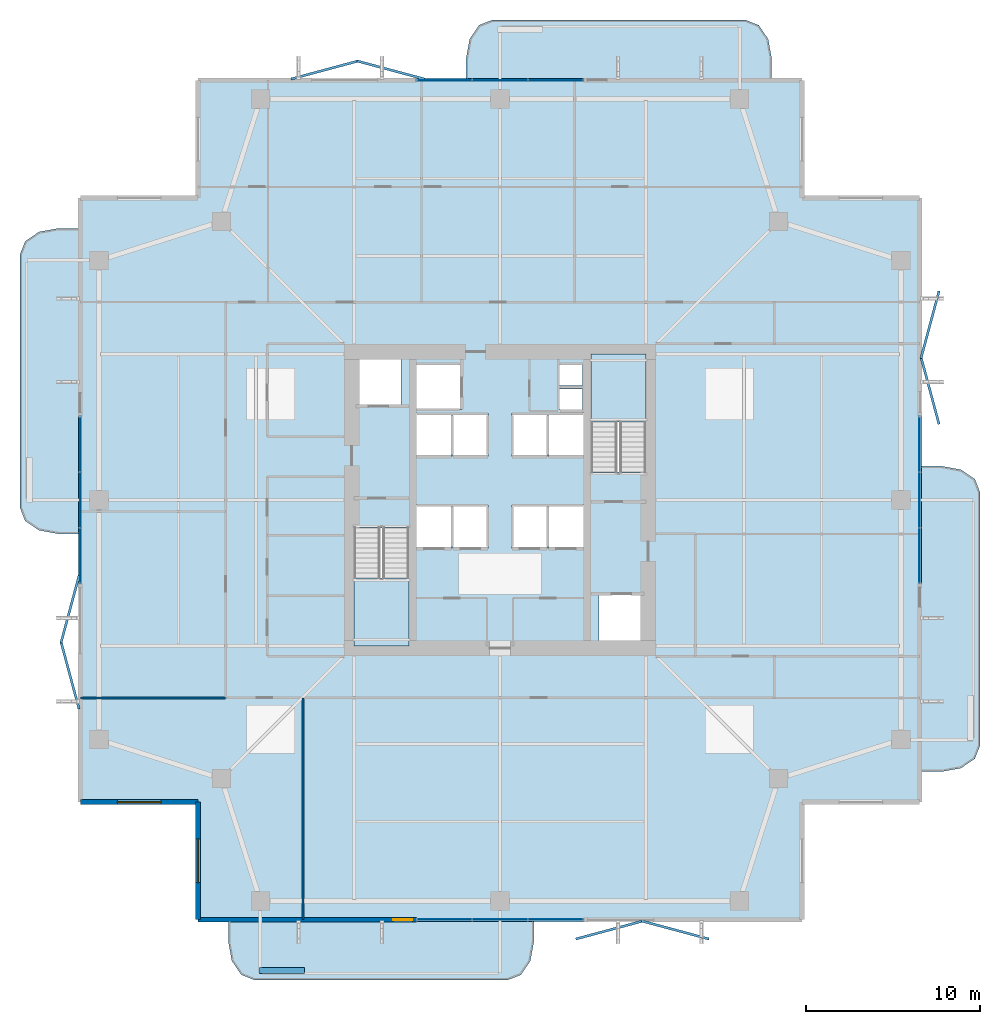
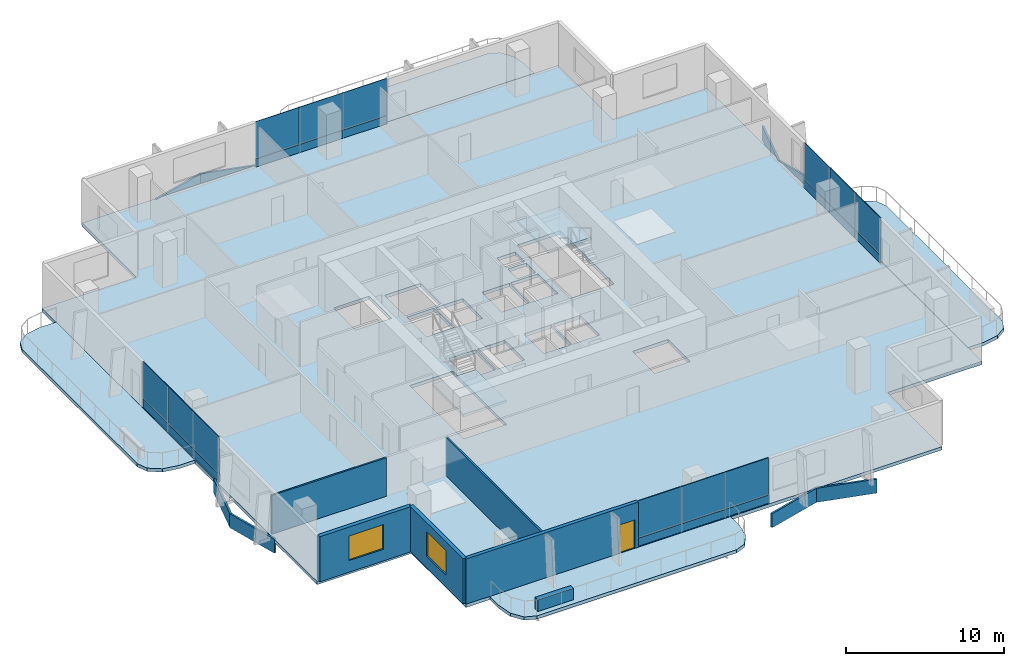
# One storey, part 18 of 25: 32 plates, 7 slabs, 6 walls, 2 windows, 1 door, 3 openings, 6 elements without a shape of their own.
"""IFC4 building model written with IfcOpenShell, lengths in metres."""

from ifc_helpers import new_model, si_unit, direction, frame, frame_2d, origin, origin_2d, place, context, subcontext, project, spatial, polyline, rectangle, outline, extrude, material, layer, layer_set, type_object, element, fill, aggregate, save


model = new_model("IFC4")

# Units and contexts
model_context = context("Model", 3, precision=1e-05, world=origin(), true_north=direction((0.0, 1.0)))
body_context = subcontext(model_context, "Body", "Model", "MODEL_VIEW")
ifc_project = project(units=[si_unit("LENGTHUNIT", "METRE"), si_unit("AREAUNIT", "SQUARE_METRE"), si_unit("VOLUMEUNIT", "CUBIC_METRE"), si_unit("PLANEANGLEUNIT", "RADIAN"), si_unit("MASSUNIT", "GRAM", prefix="KILO")], contexts=[model_context])

# Site, building, storey
site_placement = place(None, origin())
site = spatial("IfcSite", under=ifc_project, at=site_placement, CompositionType="ELEMENT")
building_placement = place(site_placement, origin())
building = spatial("IfcBuilding", under=site, at=building_placement, Name="Belovzor Exchange Tower", CompositionType="ELEMENT")
storey_placement = place(building_placement, frame((0.0, 0.0, 183.300048828125)))
storey = spatial("IfcBuildingStorey", under=building, at=storey_placement, Name="L45", CompositionType="ELEMENT", Elevation=183.300048828125)

# Slab
ifc_material_1 = material(Name="Concrete C40/50", Category="concrete")
ifc_layer_1 = layer(ifc_material_1, 0.2548828125)
ifc_layer_set_1 = layer_set([ifc_layer_1], Name="Concrete C40/50")
slab_type_1 = type_object("IfcSlabType", Name="Composite Waist Floor Deck Slab 255", PredefinedType="FLOOR", material=ifc_layer_set_1)
slab_1_placement = place(storey_placement, frame((0.0, 0.0, -0.255126953125)))
element("IfcSlab", 1, at=slab_1_placement, inside=storey, type_object=slab_type_1, Name="SL-F255 Structural Slab L45", PredefinedType="FLOOR", context=body_context, shape_type="SweptSolid", body=[
    extrude(outline(polyline([(11.39990234375, 4.5), (46.199951171875, 4.5), (46.199951171875, 11.39990234375), (53.10009765625, 11.39990234375), (53.10009765625, 46.199951171875), (46.199951171875, 46.199951171875), (46.199951171875, 53.10009765625), (11.39990234375, 53.10009765625), (11.39990234375, 46.199951171875), (4.5, 46.199951171875), (4.5, 11.39990234375), (11.39990234375, 11.39990234375), (11.39990234375, 4.5)]), holes=[polyline([(20.39990234375, 27.175048828125), (20.39990234375, 20.39990234375), (23.550048828125, 20.39990234375), (23.550048828125, 27.175048828125), (20.39990234375, 27.175048828125)]), polyline([(37.199951171875, 30.425048828125), (37.199951171875, 37.199951171875), (34.050048828125, 37.199951171875), (34.050048828125, 30.425048828125), (37.199951171875, 30.425048828125)]), polyline([(20.5, 34.199951171875), (23.10009765625, 34.199951171875), (23.10009765625, 37.0), (20.5, 37.0), (20.5, 34.199951171875)]), polyline([(34.5, 20.60009765625), (37.10009765625, 20.60009765625), (37.10009765625, 23.39990234375), (34.5, 23.39990234375), (34.5, 20.60009765625)]), polyline([(24.0, 34.0), (26.60009765625, 34.0), (26.60009765625, 36.60009765625), (24.0, 36.60009765625), (24.0, 34.0)]), polyline([(24.0, 26.0), (26.0, 26.0), (26.0, 28.5), (24.0, 28.5), (24.0, 26.0)]), polyline([(26.10009765625, 26.0), (28.10009765625, 26.0), (28.10009765625, 28.5), (26.10009765625, 28.5), (26.10009765625, 26.0)]), polyline([(29.5, 26.0), (31.5, 26.0), (31.5, 28.5), (29.5, 28.5), (29.5, 26.0)]), polyline([(31.60009765625, 26.0), (33.60009765625, 26.0), (33.60009765625, 28.5), (31.60009765625, 28.5), (31.60009765625, 26.0)]), polyline([(24.0, 31.300048828125), (26.0, 31.300048828125), (26.0, 33.800048828125), (24.0, 33.800048828125), (24.0, 31.300048828125)]), polyline([(26.10009765625, 31.300048828125), (28.10009765625, 31.300048828125), (28.10009765625, 33.800048828125), (26.10009765625, 33.800048828125), (26.10009765625, 31.300048828125)]), polyline([(29.5, 31.300048828125), (31.5, 31.300048828125), (31.5, 33.800048828125), (29.5, 33.800048828125), (29.5, 31.300048828125)]), polyline([(31.60009765625, 31.300048828125), (33.60009765625, 31.300048828125), (33.60009765625, 33.800048828125), (31.60009765625, 33.800048828125), (31.60009765625, 31.300048828125)]), polyline([(32.199951171875, 34.0), (33.550048828125, 34.0), (33.550048828125, 35.199951171875), (32.199951171875, 35.199951171875), (32.199951171875, 34.0)]), polyline([(32.199951171875, 35.39990234375), (33.550048828125, 35.39990234375), (33.550048828125, 36.60009765625), (32.199951171875, 36.60009765625), (32.199951171875, 35.39990234375)])]), origin(), (0.0, 0.0, 1.0), 0.255126953125),
])

# Curtain wall, plates
ifc_material_2 = material(Name="Anodised Aluminium Framing", Category="aluminium")
ifc_layer_2 = layer(ifc_material_2, 0.179931640625)
ifc_layer_set_2 = layer_set([ifc_layer_2], Name="Anodised Aluminium Framing")
curtain_wall_type = type_object("IfcCurtainWallType", Name="Recessed Loggia Low-Iron Triple-Glazed Curtain Wall", PredefinedType="NOTDEFINED", material=ifc_layer_set_2)
curtain_wall_1_placement = place(storey_placement, origin())
curtain_wall_1 = element("IfcCurtainWall", 2, at=curtain_wall_1_placement, inside=storey, type_object=curtain_wall_type, Name="CW3 Recessed Loggia Low-Iron Triple-Glazed Curtain Wall L45", PredefinedType="NOTDEFINED")
ifc_material_3 = material(Name="Solar-Control Triple Glazing", Category="glass")
ifc_layer_3 = layer(ifc_material_3, 0.0439453125)
ifc_layer_set_3 = layer_set([ifc_layer_3], Name="Solar-Control Triple Glazing")
plate_type_1 = type_object("IfcPlateType", Name="Insulated Solar Glazing Curtain Panel 44", PredefinedType="CURTAIN_PANEL", material=ifc_layer_set_3)
plate_1_placement = place(storey_placement, frame((32.0, 4.6298828125, 0.630859375), z_axis=(0.0, 0.0, 1.0), x_axis=(-1.0, 0.0, 0.0)))
plate_1 = element("IfcPlate", 3, at=plate_1_placement, type_object=plate_type_1, Name="GLZ-44 Glazed Curtain Panel 1", PredefinedType="CURTAIN_PANEL", context=body_context, shape_type="SweptSolid", body=[
    extrude(rectangle(XDim=3.18408203125, YDim=0.0439453125, at=origin_2d()), origin(), (0.0, 0.0, 1.0), 2.864013671875),
])
plate_2_placement = place(storey_placement, frame((28.800048828125, 4.6298828125, 0.630859375), z_axis=(0.0, 0.0, 1.0), x_axis=(-1.0, 0.0, 0.0)))
plate_2 = element("IfcPlate", 4, at=plate_2_placement, type_object=plate_type_1, Name="GLZ-44 Glazed Curtain Panel 2", PredefinedType="CURTAIN_PANEL", context=body_context, shape_type="SweptSolid", body=[
    extrude(rectangle(XDim=3.18408203125, YDim=0.0439453125, at=origin_2d()), origin(), (0.0, 0.0, 1.0), 2.864013671875),
])
plate_3_placement = place(storey_placement, frame((25.60009765625, 4.6298828125, 0.630859375), z_axis=(0.0, 0.0, 1.0), x_axis=(-1.0, 0.0, 0.0)))
plate_3 = element("IfcPlate", 5, at=plate_3_placement, type_object=plate_type_1, Name="GLZ-44 Glazed Curtain Panel 3", PredefinedType="CURTAIN_PANEL", context=body_context, shape_type="SweptSolid", body=[
    extrude(rectangle(XDim=3.18408203125, YDim=0.0439453125, at=origin_2d()), origin(), (0.0, 0.0, 1.0), 2.864013671875),
])

curtain_wall_2_placement = place(storey_placement, origin())
curtain_wall_2 = element("IfcCurtainWall", 6, at=curtain_wall_2_placement, inside=storey, type_object=curtain_wall_type, Name="CW3 Recessed Loggia Low-Iron Triple-Glazed Curtain Wall L45", PredefinedType="NOTDEFINED")
plate_4_placement = place(storey_placement, frame((25.60009765625, 52.969970703125, 0.630859375), z_axis=(0.0, 0.0, 1.0), x_axis=(1.0, 0.0, 0.0)))
plate_4 = element("IfcPlate", 7, at=plate_4_placement, type_object=plate_type_1, Name="GLZ-44 Glazed Curtain Panel 1", PredefinedType="CURTAIN_PANEL", context=body_context, shape_type="SweptSolid", body=[
    extrude(rectangle(XDim=3.18408203125, YDim=0.0439453125, at=origin_2d()), origin(), (0.0, 0.0, 1.0), 2.864013671875),
])
plate_5_placement = place(storey_placement, frame((28.800048828125, 52.969970703125, 0.630859375), z_axis=(0.0, 0.0, 1.0), x_axis=(1.0, 0.0, 0.0)))
plate_5 = element("IfcPlate", 8, at=plate_5_placement, type_object=plate_type_1, Name="GLZ-44 Glazed Curtain Panel 2", PredefinedType="CURTAIN_PANEL", context=body_context, shape_type="SweptSolid", body=[
    extrude(rectangle(XDim=3.18408203125, YDim=0.0439453125, at=origin_2d()), origin(), (0.0, 0.0, 1.0), 2.864013671875),
])
plate_6_placement = place(storey_placement, frame((32.0, 52.969970703125, 0.630859375), z_axis=(0.0, 0.0, 1.0), x_axis=(1.0, 0.0, 0.0)))
plate_6 = element("IfcPlate", 9, at=plate_6_placement, type_object=plate_type_1, Name="GLZ-44 Glazed Curtain Panel 3", PredefinedType="CURTAIN_PANEL", context=body_context, shape_type="SweptSolid", body=[
    extrude(rectangle(XDim=3.18408203125, YDim=0.0439453125, at=origin_2d()), origin(), (0.0, 0.0, 1.0), 2.864013671875),
])

curtain_wall_3_placement = place(storey_placement, origin())
curtain_wall_3 = element("IfcCurtainWall", 10, at=curtain_wall_3_placement, inside=storey, type_object=curtain_wall_type, Name="CW3 Recessed Loggia Low-Iron Triple-Glazed Curtain Wall L45", PredefinedType="NOTDEFINED")
plate_7_placement = place(storey_placement, frame((4.6298828125, 25.60009765625, 0.630859375), z_axis=(0.0, 0.0, 1.0), x_axis=(0.0, 1.0, 0.0)))
plate_7 = element("IfcPlate", 11, at=plate_7_placement, type_object=plate_type_1, Name="GLZ-44 Glazed Curtain Panel 1", PredefinedType="CURTAIN_PANEL", context=body_context, shape_type="SweptSolid", body=[
    extrude(rectangle(XDim=3.18408203125, YDim=0.0439453125, at=origin_2d()), origin(), (0.0, 0.0, 1.0), 2.864013671875),
])
plate_8_placement = place(storey_placement, frame((4.6298828125, 28.800048828125, 0.630859375), z_axis=(0.0, 0.0, 1.0), x_axis=(0.0, 1.0, 0.0)))
plate_8 = element("IfcPlate", 12, at=plate_8_placement, type_object=plate_type_1, Name="GLZ-44 Glazed Curtain Panel 2", PredefinedType="CURTAIN_PANEL", context=body_context, shape_type="SweptSolid", body=[
    extrude(rectangle(XDim=3.18408203125, YDim=0.0439453125, at=origin_2d()), origin(), (0.0, 0.0, 1.0), 2.864013671875),
])
plate_9_placement = place(storey_placement, frame((4.6298828125, 32.0, 0.630859375), z_axis=(0.0, 0.0, 1.0), x_axis=(0.0, 1.0, 0.0)))
plate_9 = element("IfcPlate", 13, at=plate_9_placement, type_object=plate_type_1, Name="GLZ-44 Glazed Curtain Panel 3", PredefinedType="CURTAIN_PANEL", context=body_context, shape_type="SweptSolid", body=[
    extrude(rectangle(XDim=3.18408203125, YDim=0.0439453125, at=origin_2d()), origin(), (0.0, 0.0, 1.0), 2.864013671875),
])

curtain_wall_4_placement = place(storey_placement, origin())
curtain_wall_4 = element("IfcCurtainWall", 14, at=curtain_wall_4_placement, inside=storey, type_object=curtain_wall_type, Name="CW3 Recessed Loggia Low-Iron Triple-Glazed Curtain Wall L45", PredefinedType="NOTDEFINED")
plate_10_placement = place(storey_placement, frame((52.969970703125, 32.0, 0.630859375), z_axis=(0.0, 0.0, 1.0), x_axis=(0.0, -1.0, 0.0)))
plate_10 = element("IfcPlate", 15, at=plate_10_placement, type_object=plate_type_1, Name="GLZ-44 Glazed Curtain Panel 1", PredefinedType="CURTAIN_PANEL", context=body_context, shape_type="SweptSolid", body=[
    extrude(rectangle(XDim=3.18408203125, YDim=0.0439453125, at=origin_2d()), origin(), (0.0, 0.0, 1.0), 2.864013671875),
])
plate_11_placement = place(storey_placement, frame((52.969970703125, 28.800048828125, 0.630859375), z_axis=(0.0, 0.0, 1.0), x_axis=(0.0, -1.0, 0.0)))
plate_11 = element("IfcPlate", 16, at=plate_11_placement, type_object=plate_type_1, Name="GLZ-44 Glazed Curtain Panel 2", PredefinedType="CURTAIN_PANEL", context=body_context, shape_type="SweptSolid", body=[
    extrude(rectangle(XDim=3.18408203125, YDim=0.0439453125, at=origin_2d()), origin(), (0.0, 0.0, 1.0), 2.864013671875),
])
plate_12_placement = place(storey_placement, frame((52.969970703125, 25.60009765625, 0.630859375), z_axis=(0.0, 0.0, 1.0), x_axis=(0.0, -1.0, 0.0)))
plate_12 = element("IfcPlate", 17, at=plate_12_placement, type_object=plate_type_1, Name="GLZ-44 Glazed Curtain Panel 3", PredefinedType="CURTAIN_PANEL", context=body_context, shape_type="SweptSolid", body=[
    extrude(rectangle(XDim=3.18408203125, YDim=0.0439453125, at=origin_2d()), origin(), (0.0, 0.0, 1.0), 2.864013671875),
])

# Plates
ifc_material_4 = material(Name="Extruded Architectural Terracotta", Category="masonry")
ifc_layer_4 = layer(ifc_material_4, 0.139892578125)
ifc_layer_set_4 = layer_set([ifc_layer_4], Name="Extruded Architectural Terracotta")
plate_type_2 = type_object("IfcPlateType", Name="Mid-Tower Folded Zigzag Terracotta Spandrel Louvre 120", PredefinedType="USERDEFINED", material=ifc_layer_set_4)
for number, where, z_axis, x_axis, name in (
    (18, (18.699951171875, 53.570068359375, -1.065185546875), (0.0, 0.0, 1.0), (0.965812803231, 0.259240485101, 0.0), "LVR-ZZ2 Zigzag Terracotta Spandrel Louvre L45 N1A"),
    (19, (22.5, 53.570068359375, -1.065185546875), (0.0, 0.0, 1.0), (0.965812803231, -0.259240485101, 0.0), "LVR-ZZ2 Zigzag Terracotta Spandrel Louvre L45 N1B"),
    (20, (4.030029296875, 18.699951171875, -1.065185546875), (0.0, 0.0, 1.0), (-0.259240485101, 0.965812803231, 0.0), "LVR-ZZ2 Zigzag Terracotta Spandrel Louvre L45 W1A"),
    (21, (4.030029296875, 22.5, -1.065185546875), (0.0, 0.0, 1.0), (0.259240485101, 0.965812803231, 0.0), "LVR-ZZ2 Zigzag Terracotta Spandrel Louvre L45 W1B"),
    (22, (35.10009765625, 4.030029296875, -1.065185546875), (0.0, 0.0, 1.0), (0.965812803231, 0.259240485101, 0.0), "LVR-ZZ2 Zigzag Terracotta Spandrel Louvre L45 S2A"),
    (23, (38.89990234375, 4.030029296875, -1.065185546875), (0.0, 0.0, 1.0), (0.965812803231, -0.259240485101, 0.0), "LVR-ZZ2 Zigzag Terracotta Spandrel Louvre L45 S2B"),
    (24, (53.570068359375, 35.10009765625, -1.065185546875), (0.0, 0.0, 1.0), (-0.259240485101, 0.965812803231, 0.0), "LVR-ZZ2 Zigzag Terracotta Spandrel Louvre L45 E2A"),
    (25, (53.570068359375, 38.89990234375, -1.065185546875), (0.0, 0.0, 1.0), (0.259240485101, 0.965812803231, 0.0), "LVR-ZZ2 Zigzag Terracotta Spandrel Louvre L45 E2B"),
):
    element("IfcPlate", number, at=place(storey_placement, frame(where, z_axis=z_axis, x_axis=x_axis)), inside=storey, type_object=plate_type_2, Name=name, ObjectType="SPANDREL_LOUVRE", PredefinedType="USERDEFINED", context=body_context, shape_type="SweptSolid", body=[
        extrude(rectangle(XDim=4.014892578125, YDim=0.139892578125, at=origin_2d()), origin(), (0.0, 0.0, 1.0), 1.080078125),
    ])

# Stair, slab
ifc_material_5 = material(Name="Concrete C40/50", Category="concrete")
stair_type = type_object("IfcStairType", Name="Reinforced Concrete Dogleg Escape Stair 1350", PredefinedType="HALF_TURN_STAIR", material=ifc_material_5)
stair_1_placement = place(storey_placement, origin())
stair_1 = element("IfcStair", 26, at=stair_1_placement, inside=storey, type_object=stair_type, Name="L45 ST-1", PredefinedType="HALF_TURN_STAIR")
ifc_material_6 = material(Name="Concrete C40/50", Category="concrete")
ifc_layer_5 = layer(ifc_material_6, 0.199951171875)
ifc_layer_set_5 = layer_set([ifc_layer_5], Name="Concrete C40/50")
slab_type_2 = type_object("IfcSlabType", Name="Reinforced Concrete Stair Half-Landing Slab 200", PredefinedType="LANDING", material=ifc_layer_set_5)
slab_2_placement = place(storey_placement, frame((0.0, 0.0, 1.675048828125)))
slab_2 = element("IfcSlab", 27, at=slab_2_placement, type_object=slab_type_2, Name="ST-1 landing 1", PredefinedType="LANDING", context=body_context, shape_type="SweptSolid", body=[
    extrude(outline(polyline([(20.39990234375, 24.300048828125), (20.39990234375, 20.39990234375), (23.550048828125, 20.39990234375), (23.550048828125, 24.300048828125), (20.39990234375, 24.300048828125)])), origin(), (0.0, 0.0, 1.0), 0.199951171875),
])
aggregate(stair_1, [slab_2])

stair_2_placement = place(storey_placement, origin())
stair_2 = element("IfcStair", 28, at=stair_2_placement, inside=storey, type_object=stair_type, Name="L45 ST-2", PredefinedType="HALF_TURN_STAIR")
slab_3_placement = place(storey_placement, frame((0.0, 0.0, 1.675048828125)))
slab_3 = element("IfcSlab", 29, at=slab_3_placement, type_object=slab_type_2, Name="ST-2 landing 1", PredefinedType="LANDING", context=body_context, shape_type="SweptSolid", body=[
    extrude(outline(polyline([(37.199951171875, 33.300048828125), (37.199951171875, 37.199951171875), (34.050048828125, 37.199951171875), (34.050048828125, 33.300048828125), (37.199951171875, 33.300048828125)])), origin(), (0.0, 0.0, 1.0), 0.199951171875),
])
aggregate(stair_2, [slab_3])

# Plate
ifc_material_7 = material(Name="Extruded Architectural Terracotta", Category="masonry")
ifc_layer_6 = layer(ifc_material_7, 0.090087890625)
ifc_layer_set_6 = layer_set([ifc_layer_6], Name="Extruded Architectural Terracotta")
plate_type_3 = type_object("IfcPlateType", Name="Terracotta Shadow-Box Spandrel Panel 90", PredefinedType="CURTAIN_PANEL", material=ifc_layer_set_6)
plate_13_placement = place(storey_placement, frame((32.0, 4.6298828125, 0.00048828125), z_axis=(0.0, 0.0, 1.0), x_axis=(-1.0, 0.0, 0.0)))
plate_13 = element("IfcPlate", 30, at=plate_13_placement, type_object=plate_type_3, Name="SPD-90 Spandrel Panel 1", PredefinedType="CURTAIN_PANEL", context=body_context, shape_type="SweptSolid", body=[
    extrude(rectangle(XDim=3.18408203125, YDim=0.090087890625, at=origin_2d()), origin(), (0.0, 0.0, 1.0), 0.626953125),
])

plate_14_placement = place(storey_placement, frame((28.800048828125, 4.6298828125, 0.00048828125), z_axis=(0.0, 0.0, 1.0), x_axis=(-1.0, 0.0, 0.0)))
plate_14 = element("IfcPlate", 31, at=plate_14_placement, type_object=plate_type_3, Name="SPD-90 Spandrel Panel 2", PredefinedType="CURTAIN_PANEL", context=body_context, shape_type="SweptSolid", body=[
    extrude(rectangle(XDim=3.18408203125, YDim=0.090087890625, at=origin_2d()), origin(), (0.0, 0.0, 1.0), 0.626953125),
])

plate_15_placement = place(storey_placement, frame((25.60009765625, 4.6298828125, 0.00048828125), z_axis=(0.0, 0.0, 1.0), x_axis=(-1.0, 0.0, 0.0)))
plate_15 = element("IfcPlate", 32, at=plate_15_placement, type_object=plate_type_3, Name="SPD-90 Spandrel Panel 3", PredefinedType="CURTAIN_PANEL", context=body_context, shape_type="SweptSolid", body=[
    extrude(rectangle(XDim=3.18408203125, YDim=0.090087890625, at=origin_2d()), origin(), (0.0, 0.0, 1.0), 0.626953125),
])

aggregate(curtain_wall_1, [plate_13, plate_1, plate_14, plate_2, plate_15, plate_3])

plate_16_placement = place(storey_placement, frame((25.60009765625, 52.969970703125, 0.00048828125), z_axis=(0.0, 0.0, 1.0), x_axis=(1.0, 0.0, 0.0)))
plate_16 = element("IfcPlate", 33, at=plate_16_placement, type_object=plate_type_3, Name="SPD-90 Spandrel Panel 1", PredefinedType="CURTAIN_PANEL", context=body_context, shape_type="SweptSolid", body=[
    extrude(rectangle(XDim=3.18408203125, YDim=0.090087890625, at=origin_2d()), origin(), (0.0, 0.0, 1.0), 0.626953125),
])

plate_17_placement = place(storey_placement, frame((28.800048828125, 52.969970703125, 0.00048828125), z_axis=(0.0, 0.0, 1.0), x_axis=(1.0, 0.0, 0.0)))
plate_17 = element("IfcPlate", 34, at=plate_17_placement, type_object=plate_type_3, Name="SPD-90 Spandrel Panel 2", PredefinedType="CURTAIN_PANEL", context=body_context, shape_type="SweptSolid", body=[
    extrude(rectangle(XDim=3.18408203125, YDim=0.090087890625, at=origin_2d()), origin(), (0.0, 0.0, 1.0), 0.626953125),
])

plate_18_placement = place(storey_placement, frame((32.0, 52.969970703125, 0.00048828125), z_axis=(0.0, 0.0, 1.0), x_axis=(1.0, 0.0, 0.0)))
plate_18 = element("IfcPlate", 35, at=plate_18_placement, type_object=plate_type_3, Name="SPD-90 Spandrel Panel 3", PredefinedType="CURTAIN_PANEL", context=body_context, shape_type="SweptSolid", body=[
    extrude(rectangle(XDim=3.18408203125, YDim=0.090087890625, at=origin_2d()), origin(), (0.0, 0.0, 1.0), 0.626953125),
])

aggregate(curtain_wall_2, [plate_16, plate_4, plate_17, plate_5, plate_18, plate_6])

plate_19_placement = place(storey_placement, frame((4.6298828125, 25.60009765625, 0.00048828125), z_axis=(0.0, 0.0, 1.0), x_axis=(0.0, 1.0, 0.0)))
plate_19 = element("IfcPlate", 36, at=plate_19_placement, type_object=plate_type_3, Name="SPD-90 Spandrel Panel 1", PredefinedType="CURTAIN_PANEL", context=body_context, shape_type="SweptSolid", body=[
    extrude(rectangle(XDim=3.18408203125, YDim=0.090087890625, at=origin_2d()), origin(), (0.0, 0.0, 1.0), 0.626953125),
])

plate_20_placement = place(storey_placement, frame((4.6298828125, 28.800048828125, 0.00048828125), z_axis=(0.0, 0.0, 1.0), x_axis=(0.0, 1.0, 0.0)))
plate_20 = element("IfcPlate", 37, at=plate_20_placement, type_object=plate_type_3, Name="SPD-90 Spandrel Panel 2", PredefinedType="CURTAIN_PANEL", context=body_context, shape_type="SweptSolid", body=[
    extrude(rectangle(XDim=3.18408203125, YDim=0.090087890625, at=origin_2d()), origin(), (0.0, 0.0, 1.0), 0.626953125),
])

plate_21_placement = place(storey_placement, frame((4.6298828125, 32.0, 0.00048828125), z_axis=(0.0, 0.0, 1.0), x_axis=(0.0, 1.0, 0.0)))
plate_21 = element("IfcPlate", 38, at=plate_21_placement, type_object=plate_type_3, Name="SPD-90 Spandrel Panel 3", PredefinedType="CURTAIN_PANEL", context=body_context, shape_type="SweptSolid", body=[
    extrude(rectangle(XDim=3.18408203125, YDim=0.090087890625, at=origin_2d()), origin(), (0.0, 0.0, 1.0), 0.626953125),
])

aggregate(curtain_wall_3, [plate_19, plate_7, plate_20, plate_8, plate_21, plate_9])

plate_22_placement = place(storey_placement, frame((52.969970703125, 32.0, 0.00048828125), z_axis=(0.0, 0.0, 1.0), x_axis=(0.0, -1.0, 0.0)))
plate_22 = element("IfcPlate", 39, at=plate_22_placement, type_object=plate_type_3, Name="SPD-90 Spandrel Panel 1", PredefinedType="CURTAIN_PANEL", context=body_context, shape_type="SweptSolid", body=[
    extrude(rectangle(XDim=3.18408203125, YDim=0.090087890625, at=origin_2d()), origin(), (0.0, 0.0, 1.0), 0.626953125),
])

plate_23_placement = place(storey_placement, frame((52.969970703125, 28.800048828125, 0.00048828125), z_axis=(0.0, 0.0, 1.0), x_axis=(0.0, -1.0, 0.0)))
plate_23 = element("IfcPlate", 40, at=plate_23_placement, type_object=plate_type_3, Name="SPD-90 Spandrel Panel 2", PredefinedType="CURTAIN_PANEL", context=body_context, shape_type="SweptSolid", body=[
    extrude(rectangle(XDim=3.18408203125, YDim=0.090087890625, at=origin_2d()), origin(), (0.0, 0.0, 1.0), 0.626953125),
])

plate_24_placement = place(storey_placement, frame((52.969970703125, 25.60009765625, 0.00048828125), z_axis=(0.0, 0.0, 1.0), x_axis=(0.0, -1.0, 0.0)))
plate_24 = element("IfcPlate", 41, at=plate_24_placement, type_object=plate_type_3, Name="SPD-90 Spandrel Panel 3", PredefinedType="CURTAIN_PANEL", context=body_context, shape_type="SweptSolid", body=[
    extrude(rectangle(XDim=3.18408203125, YDim=0.090087890625, at=origin_2d()), origin(), (0.0, 0.0, 1.0), 0.626953125),
])

aggregate(curtain_wall_4, [plate_22, plate_10, plate_23, plate_11, plate_24, plate_12])

# Slabs
ifc_material_8 = material(Name="Concrete C40/50", Category="concrete")
ifc_layer_7 = layer(ifc_material_8, 0.25)
ifc_layer_set_7 = layer_set([ifc_layer_7], Name="Concrete C40/50")
slab_type_3 = type_object("IfcSlabType", Name="Thermally Broken Planted Balcony Slab 250", PredefinedType="FLOOR", material=ifc_layer_set_7)
slab_4_placement = place(storey_placement, frame((0.0, 0.0, -0.25)))
element("IfcSlab", 42, at=slab_4_placement, inside=storey, type_object=slab_type_3, Name="SL-BAL220 Planted Balcony Loggia L45 South", PredefinedType="FLOOR", context=body_context, shape_type="SweptSolid", body=[
    extrude(outline(polyline([(13.14990234375, 4.514892578125), (13.14990234375, 3.35009765625), (13.35107421875, 2.25), (13.89990234375, 1.445068359375), (14.64990234375, 1.14990234375), (29.25, 1.14990234375), (30.0, 1.445068359375), (30.549072265625, 2.25), (30.75, 3.35009765625), (30.75, 4.514892578125), (13.14990234375, 4.514892578125)])), origin(), (0.0, 0.0, 1.0), 0.25),
])
slab_5_placement = place(storey_placement, frame((0.0, 0.0, -0.25)))
element("IfcSlab", 43, at=slab_5_placement, inside=storey, type_object=slab_type_3, Name="SL-BAL220 Planted Balcony Loggia L45 North", PredefinedType="FLOOR", context=body_context, shape_type="SweptSolid", body=[
    extrude(outline(polyline([(44.449951171875, 53.0849609375), (44.449951171875, 54.25), (44.2490234375, 55.35009765625), (43.699951171875, 56.155029296875), (42.949951171875, 56.449951171875), (28.35009765625, 56.449951171875), (27.60009765625, 56.155029296875), (27.051025390625, 55.35009765625), (26.85009765625, 54.25), (26.85009765625, 53.0849609375), (44.449951171875, 53.0849609375)])), origin(), (0.0, 0.0, 1.0), 0.25),
])
slab_6_placement = place(storey_placement, frame((0.0, 0.0, -0.25)))
element("IfcSlab", 44, at=slab_6_placement, inside=storey, type_object=slab_type_3, Name="SL-BAL220 Planted Balcony Loggia L45 East", PredefinedType="FLOOR", context=body_context, shape_type="SweptSolid", body=[
    extrude(outline(polyline([(53.0849609375, 13.14990234375), (54.25, 13.14990234375), (55.35009765625, 13.35107421875), (56.155029296875, 13.89990234375), (56.449951171875, 14.64990234375), (56.449951171875, 29.25), (56.155029296875, 30.0), (55.35009765625, 30.549072265625), (54.25, 30.75), (53.0849609375, 30.75), (53.0849609375, 13.14990234375)])), origin(), (0.0, 0.0, 1.0), 0.25),
])
slab_7_placement = place(storey_placement, frame((0.0, 0.0, -0.25)))
element("IfcSlab", 45, at=slab_7_placement, inside=storey, type_object=slab_type_3, Name="SL-BAL220 Planted Balcony Loggia L45 West", PredefinedType="FLOOR", context=body_context, shape_type="SweptSolid", body=[
    extrude(outline(polyline([(4.514892578125, 44.449951171875), (3.35009765625, 44.449951171875), (2.25, 44.2490234375), (1.445068359375, 43.699951171875), (1.14990234375, 42.949951171875), (1.14990234375, 28.35009765625), (1.445068359375, 27.60009765625), (2.25, 27.051025390625), (3.35009765625, 26.85009765625), (4.514892578125, 26.85009765625), (4.514892578125, 44.449951171875)])), origin(), (0.0, 0.0, 1.0), 0.25),
])

# Walls
ifc_material_9 = material(Name="Acoustic Plasterboard on Galvanised Studs", Category="gypsum")
ifc_layer_8 = layer(ifc_material_9, 0.1201171875)
ifc_layer_set_8 = layer_set([ifc_layer_8], Name="Acoustic Plasterboard on Galvanised Studs")
wall_type_1 = type_object("IfcWallType", Name="Acoustic Double-Stud Partition Wall 120", PredefinedType="PARTITIONING", material=ifc_layer_set_8)
wall_1_placement = place(storey_placement, frame((17.4599609375, 4.6298828125, 0.0), z_axis=(0.0, 0.0, 1.0), x_axis=(0.0, 1.0, 0.0)))
element("IfcWall", 46, at=wall_1_placement, inside=storey, type_object=wall_type_1, Name="W-P120 Partition Wall W-L45-SDIV-1", PredefinedType="PARTITIONING", context=body_context, shape_type="SweptSolid", body=[
    extrude(rectangle(XDim=12.77001953125, YDim=0.1201171875, at=frame_2d((6.385009765625, 0.0))), origin(), (0.0, 0.0, 1.0), 2.97998046875),
])
wall_2_placement = place(storey_placement, frame((4.6298828125, 17.39990234375, 0.0), z_axis=(0.0, 0.0, 1.0), x_axis=(1.0, 0.0, 0.0)))
element("IfcWall", 47, at=wall_2_placement, inside=storey, type_object=wall_type_1, Name="W-P120 Partition Wall W-L45-END-SW", PredefinedType="PARTITIONING", context=body_context, shape_type="SweptSolid", body=[
    extrude(rectangle(XDim=8.3701171875, YDim=0.1201171875, at=frame_2d((4.18505859375, 0.0))), origin(), (0.0, 0.0, 1.0), 2.97998046875),
])

# Wall, opening, window
ifc_material_10 = material(Name="Precast concrete C40/50", Category="concrete")
ifc_layer_9 = layer(ifc_material_10, 0.280029296875)
ifc_layer_set_9 = layer_set([ifc_layer_9], Name="Precast concrete C40/50")
wall_type_2 = type_object("IfcWallType", Name="Precast Concrete Notched Corner Frame Wall 280", PredefinedType="SOLIDWALL", material=ifc_layer_set_9)
wall_3_placement = place(storey_placement, frame((11.39990234375, 4.6298828125, 0.0), z_axis=(0.0, 0.0, 1.0), x_axis=(0.0, 1.0, 0.0)))
wall_3 = element("IfcWall", 48, at=wall_3_placement, inside=storey, type_object=wall_type_2, Name="W-CRN280 Precast Concrete Notched Corner Frame Wall 280 L45", PredefinedType="SOLIDWALL", context=body_context, shape_type="SweptSolid", body=[
    extrude(rectangle(XDim=6.77001953125, YDim=0.280029296875, at=frame_2d((3.385009765625, 0.0))), origin(), (0.0, 0.0, 1.0), 3.494873046875),
])
opening_1_placement = place(wall_3_placement, frame((2.135009765625, 0.0, 0.89990234375)))
opening_1 = element("IfcOpeningElement", 49, at=opening_1_placement, cuts=wall_3, Name="Opening WN-CRN250", PredefinedType="OPENING", context=body_context, shape_type="SweptSolid", body=[
    extrude(rectangle(XDim=2.5, YDim=1.89990234375, at=frame_2d((1.25, 0.949951171875))), frame((0.0, 0.14990234375, 0.0), z_axis=(0.0, -1.0, 0.0), x_axis=(1.0, 0.0, 0.0)), (0.0, 0.0, 1.0), 0.300048828125),
])
ifc_material_11 = material(Name="Thermally Broken Aluminium and Triple Glazing", Category="aluminium")
window_type = type_object("IfcWindowType", Name="Streamline Moderne Corner Wrap Ribbon Window 2500x1900", PartitioningType="SINGLE_PANEL", PredefinedType="WINDOW", material=ifc_material_11)
window_1_placement = place(opening_1_placement, origin())
window_1 = element("IfcWindow", 50, at=window_1_placement, inside=storey, type_object=window_type, Name="WN-CRN250 Streamline Moderne Corner Wrap Ribbon Window 2500x1900", OverallHeight=1.89990234375, OverallWidth=2.5, PartitioningType="SINGLE_PANEL", PredefinedType="WINDOW", context=body_context, shape_type="SweptSolid", body=[
    extrude(rectangle(XDim=2.5, YDim=1.89990234375, at=frame_2d((1.25, 0.949951171875))), frame((0.0, 0.030029296875, 0.0), z_axis=(0.0, -1.0, 0.0), x_axis=(1.0, 0.0, 0.0)), (0.0, 0.0, 1.0), 0.06005859375),
])
fill(opening_1, window_1)

wall_4_placement = place(storey_placement, frame((11.39990234375, 11.39990234375, 0.0), z_axis=(0.0, 0.0, 1.0), x_axis=(-1.0, 0.0, 0.0)))
wall_4 = element("IfcWall", 51, at=wall_4_placement, inside=storey, type_object=wall_type_2, Name="W-CRN280 Precast Concrete Notched Corner Frame Wall 280 L45", PredefinedType="SOLIDWALL", context=body_context, shape_type="SweptSolid", body=[
    extrude(rectangle(XDim=6.77001953125, YDim=0.280029296875, at=frame_2d((3.385009765625, 0.0))), origin(), (0.0, 0.0, 1.0), 3.494873046875),
])
opening_2_placement = place(wall_4_placement, frame((2.135009765625, 0.0, 0.89990234375)))
opening_2 = element("IfcOpeningElement", 52, at=opening_2_placement, cuts=wall_4, Name="Opening WN-CRN250", PredefinedType="OPENING", context=body_context, shape_type="SweptSolid", body=[
    extrude(rectangle(XDim=2.5, YDim=1.89990234375, at=frame_2d((1.25, 0.949951171875))), frame((0.0, 0.14990234375, 0.0), z_axis=(0.0, -1.0, 0.0), x_axis=(1.0, 0.0, 0.0)), (0.0, 0.0, 1.0), 0.300048828125),
])
window_2_placement = place(opening_2_placement, origin())
window_2 = element("IfcWindow", 53, at=window_2_placement, inside=storey, type_object=window_type, Name="WN-CRN250 Streamline Moderne Corner Wrap Ribbon Window 2500x1900", OverallHeight=1.89990234375, OverallWidth=2.5, PartitioningType="SINGLE_PANEL", PredefinedType="WINDOW", context=body_context, shape_type="SweptSolid", body=[
    extrude(rectangle(XDim=2.5, YDim=1.89990234375, at=frame_2d((1.25, 0.949951171875))), frame((0.0, 0.030029296875, 0.0), z_axis=(0.0, -1.0, 0.0), x_axis=(1.0, 0.0, 0.0)), (0.0, 0.0, 1.0), 0.06005859375),
])
fill(opening_2, window_2)

# Wall, opening, door
ifc_material_12 = material(Name="Precast concrete C40/50", Category="concrete")
ifc_layer_10 = layer(ifc_material_12, 0.260009765625)
ifc_layer_set_10 = layer_set([ifc_layer_10], Name="Precast concrete C40/50")
wall_type_3 = type_object("IfcWallType", Name="Precast Concrete Perimeter Loggia Frame Wall 260", PredefinedType="SOLIDWALL", material=ifc_layer_set_10)
wall_5_placement = place(storey_placement, frame((24.0, 4.6298828125, 0.0), z_axis=(0.0, 0.0, 1.0), x_axis=(-1.0, 0.0, 0.0)))
wall_5 = element("IfcWall", 54, at=wall_5_placement, inside=storey, type_object=wall_type_3, Name="W-EXT260 Precast Concrete Perimeter Loggia Frame Wall 260 L45", PredefinedType="SOLIDWALL", context=body_context, shape_type="SweptSolid", body=[
    extrude(rectangle(XDim=12.60009765625, YDim=0.260009765625, at=frame_2d((6.300048828125, 0.0))), origin(), (0.0, 0.0, 1.0), 3.494873046875),
])
opening_3_placement = place(wall_5_placement, frame((0.25, 0.0, 0.0)))
opening_3 = element("IfcOpeningElement", 55, at=opening_3_placement, cuts=wall_5, Name="Opening D-BAL110", PredefinedType="OPENING", context=body_context, shape_type="SweptSolid", body=[
    extrude(rectangle(XDim=1.10009765625, YDim=2.199951171875, at=frame_2d((0.550048828125, 1.10009765625))), frame((0.0, 0.139892578125, 0.0), z_axis=(0.0, -1.0, 0.0), x_axis=(1.0, 0.0, 0.0)), (0.0, 0.0, 1.0), 0.280029296875),
])
ifc_material_13 = material(Name="Thermally Broken Anodised Aluminium and Laminated Glass", Category="aluminium")
door_type = type_object("IfcDoorType", Name="Planted Loggia Terrace Glazed Door 1100x2200", OperationType="SINGLE_SWING_LEFT", PredefinedType="DOOR", material=ifc_material_13)
door_placement = place(opening_3_placement, origin())
door = element("IfcDoor", 56, at=door_placement, inside=storey, type_object=door_type, Name="D-BAL110 Balcony Terrace Door L45 S", OperationType="SINGLE_SWING_LEFT", OverallHeight=2.199951171875, OverallWidth=1.10009765625, PredefinedType="DOOR", context=body_context, shape_type="SweptSolid", body=[
    extrude(rectangle(XDim=1.10009765625, YDim=2.199951171875, at=frame_2d((0.550048828125, 1.10009765625))), frame((0.0, 0.02490234375, 0.0), z_axis=(0.0, -1.0, 0.0), x_axis=(1.0, 0.0, 0.0)), (0.0, 0.0, 1.0), 0.050048828125),
])
fill(opening_3, door)

# Wall
ifc_material_14 = material(Name="Precast concrete C40/50", Category="concrete")
ifc_layer_11 = layer(ifc_material_14, 0.35009765625)
ifc_layer_set_11 = layer_set([ifc_layer_11], Name="Precast concrete C40/50")
wall_type_4 = type_object("IfcWallType", Name="Precast Concrete Structural Tree Planter Trough 350", PredefinedType="PARAPET", material=ifc_layer_set_11)
wall_6_placement = place(storey_placement, frame((14.949951171875, 1.699951171875, 0.0), z_axis=(0.0, 0.0, 1.0), x_axis=(1.0, 0.0, 0.0)))
element("IfcWall", 57, at=wall_6_placement, inside=storey, type_object=wall_type_4, Name="PT-350 Precast Concrete Structural Tree Planter Trough 350 L45", PredefinedType="PARAPET", context=body_context, shape_type="SweptSolid", body=[
    extrude(rectangle(XDim=2.60009765625, YDim=0.35009765625, at=frame_2d((1.300048828125, 0.0))), origin(), (0.0, 0.0, 1.0), 0.89990234375),
])

save(model, "model.ifc")
